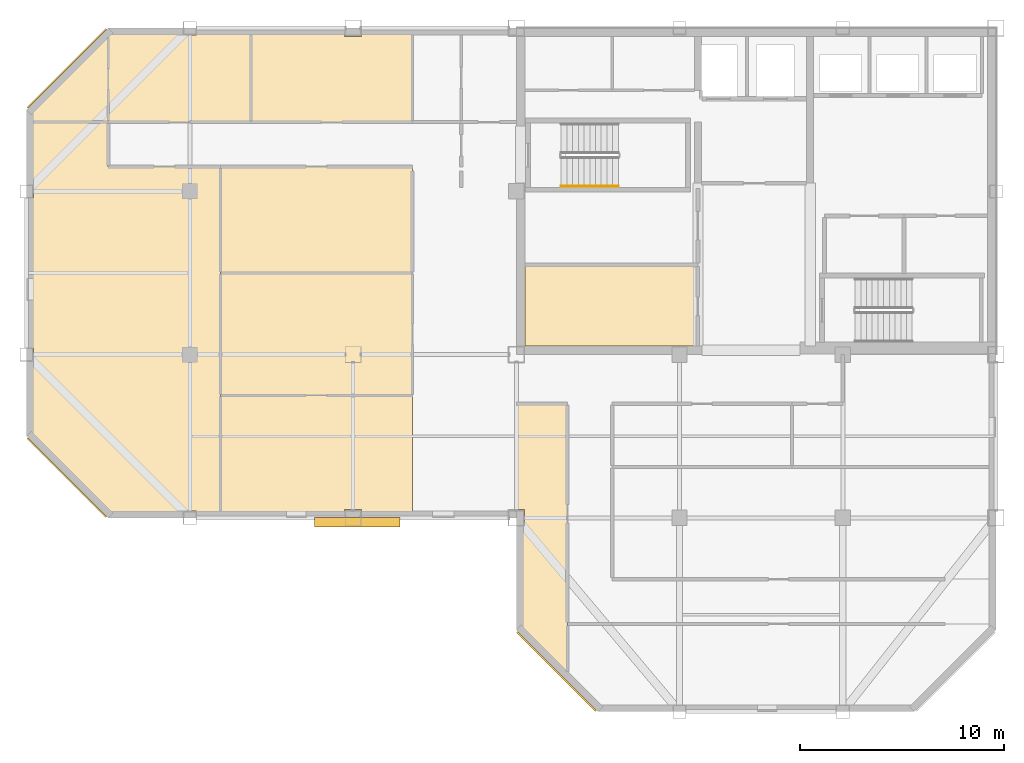
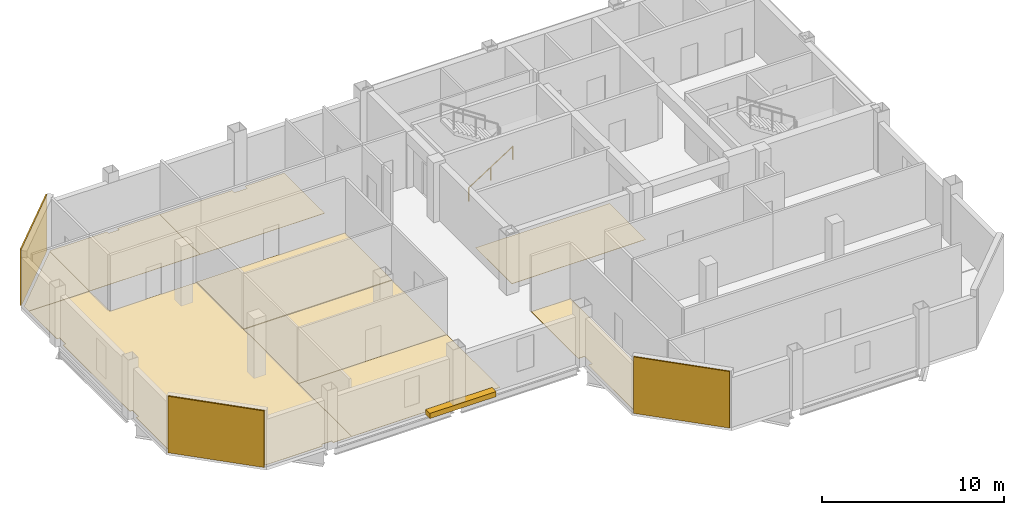
# One storey, part 5 of 7: 12 coverings, 1 railing, 1 shading device.
"""IFC4 building model written with IfcOpenShell, lengths in metres."""

from ifc_helpers import new_model, si_unit, direction, frame, origin, origin_2d, place, context, subcontext, project, spatial, polyline, rectangle, circle, outline, extrude, material, layer, layer_set, type_object, element, save


model = new_model("IFC4")

# Units and contexts
model_context = context("Model", 3, precision=1e-05, world=origin(), true_north=direction((0.0, 1.0)))
body_context = subcontext(model_context, "Body", "Model", "MODEL_VIEW")
ifc_project = project(units=[si_unit("LENGTHUNIT", "METRE"), si_unit("AREAUNIT", "SQUARE_METRE"), si_unit("VOLUMEUNIT", "CUBIC_METRE"), si_unit("PLANEANGLEUNIT", "RADIAN"), si_unit("MASSUNIT", "GRAM", prefix="KILO")], contexts=[model_context])

# Site, building, storey
site_placement = place(None, origin())
site = spatial("IfcSite", under=ifc_project, at=site_placement, CompositionType="ELEMENT")
building_placement = place(site_placement, origin())
building = spatial("IfcBuilding", under=site, at=building_placement, Name="Qianrong Seaharbour Tower", CompositionType="ELEMENT")
storey_placement = place(building_placement, frame((0.0, 0.0, 347.199951171875)))
storey = spatial("IfcBuildingStorey", under=building, at=storey_placement, Name="L84", CompositionType="ELEMENT", Elevation=347.199951171875)

# Coverings
ifc_material_1 = material(Name="Unitised red brick cladding on Precast concrete C45/55", Category="masonry")
ifc_layer_1 = layer(ifc_material_1, 0.080078125)
ifc_layer_set_1 = layer_set([ifc_layer_1], Name="Unitised red brick cladding on Precast concrete C45/55")
covering_type_1 = type_object("IfcCoveringType", Name="COV-CLAD-RED-BRICK-80", PredefinedType="CLADDING", material=ifc_layer_set_1)
for number, where, z_axis, x_axis, name in (
    (1, (18.4716796875, 29.9716796875, 0.0), (0.0, 0.0, 1.0), (-0.707106781187, 0.707106781187, 0.0), "L84 Chamfer Corner Brick Cladding 02"),
    (2, (18.4716796875, 50.0283203125, 0.0), (0.0, 0.0, 1.0), (0.707106781187, 0.707106781187, 0.0), "L84 Chamfer Corner Brick Cladding 04"),
    (3, (42.4716796875, 20.4716796875, 0.0), (0.0, 0.0, 1.0), (-0.707106781187, 0.707106781187, 0.0), "L84 Chamfer Corner Brick Cladding 09"),
):
    element("IfcCovering", number, at=place(storey_placement, frame(where, z_axis=z_axis, x_axis=x_axis)), inside=storey, type_object=covering_type_1, Name=name, PredefinedType="CLADDING", context=body_context, shape_type="SweptSolid", body=[
        extrude(rectangle(XDim=5.456787109375, YDim=0.080078125, at=origin_2d()), origin(), (0.0, 0.0, 1.0), 3.784912109375),
    ])
ifc_material_2 = material(Name="Acoustic modular carpet tile flooring")
ifc_layer_2 = layer(ifc_material_2, 0.02001953125)
ifc_layer_set_2 = layer_set([ifc_layer_2], Name="Acoustic modular carpet tile flooring")
covering_type_2 = type_object("IfcCoveringType", Name="COV-FLOOR-CARPET-20", PredefinedType="FLOORING", material=ifc_layer_set_2)
covering_1_placement = place(storey_placement, origin())
element("IfcCovering", 4, at=covering_1_placement, inside=storey, type_object=covering_type_2, Name="L84 Corporate Archive Room Finish Flooring", PredefinedType="FLOORING", context=body_context, shape_type="SweptSolid", body=[
    extrude(outline(polyline([(49.39990234375, 40.39990234375), (49.39990234375, 36.419921875), (40.919921875, 36.419921875), (40.919921875, 40.39990234375), (49.39990234375, 40.39990234375)])), origin(), (0.0, 0.0, 1.0), 0.02001953125),
])
covering_2_placement = place(storey_placement, origin())
element("IfcCovering", 5, at=covering_2_placement, inside=storey, type_object=covering_type_2, Name="L84 Occupational Health Clinic 1 Finish Flooring", PredefinedType="FLOORING", context=body_context, shape_type="SweptSolid", body=[
    extrude(outline(polyline([(16.6650390625, 47.931640625), (20.5, 51.7666015625), (20.5, 47.39990234375), (16.6650390625, 47.39990234375), (16.6650390625, 47.931640625)])), origin(), (0.0, 0.0, 1.0), 0.02001953125),
])
covering_3_placement = place(storey_placement, origin())
element("IfcCovering", 6, at=covering_3_placement, inside=storey, type_object=covering_type_2, Name="L84 Physiotherapy Room 2 Finish Flooring", PredefinedType="FLOORING", context=body_context, shape_type="SweptSolid", body=[
    extrude(outline(polyline([(20.5, 51.7666015625), (20.568359375, 51.8349609375), (24.1650390625, 51.8349609375), (24.1650390625, 51.6650390625), (24.8349609375, 51.6650390625), (24.8349609375, 51.8349609375), (27.5, 51.8349609375), (27.5, 47.39990234375), (20.5, 47.39990234375), (20.5, 51.7666015625)])), origin(), (0.0, 0.0, 1.0), 0.02001953125),
])
covering_4_placement = place(storey_placement, origin())
element("IfcCovering", 7, at=covering_4_placement, inside=storey, type_object=covering_type_2, Name="L84 First Aid Nursing Room 3 Finish Flooring", PredefinedType="FLOORING", context=body_context, shape_type="SweptSolid", body=[
    extrude(outline(polyline([(27.5, 51.8349609375), (32.090087890625, 51.8349609375), (32.090087890625, 51.590087890625), (32.909912109375, 51.590087890625), (32.909912109375, 51.8349609375), (35.39990234375, 51.8349609375), (35.39990234375, 47.39990234375), (27.5, 47.39990234375), (27.5, 51.8349609375)])), origin(), (0.0, 0.0, 1.0), 0.02001953125),
])
covering_5_placement = place(storey_placement, origin())
element("IfcCovering", 8, at=covering_5_placement, inside=storey, type_object=covering_type_2, Name="L84 Wellness Exercise Hall Finish Flooring", PredefinedType="FLOORING", context=body_context, shape_type="SweptSolid", body=[
    extrude(outline(polyline([(24.8349609375, 28.1650390625), (24.8349609375, 28.3349609375), (24.1650390625, 28.3349609375), (24.1650390625, 28.1650390625), (20.568359375, 28.1650390625), (16.6650390625, 32.068359375), (16.6650390625, 35.6650390625), (16.8349609375, 35.6650390625), (16.8349609375, 36.3349609375), (16.6650390625, 36.3349609375), (16.6650390625, 43.6650390625), (16.8349609375, 43.6650390625), (16.8349609375, 44.3349609375), (16.6650390625, 44.3349609375), (16.6650390625, 47.39990234375), (20.5, 47.39990234375), (20.5, 45.199951171875), (26.0, 45.199951171875), (26.0, 28.1650390625), (24.8349609375, 28.1650390625)])), origin(), (0.0, 0.0, 1.0), 0.02001953125),
])
covering_6_placement = place(storey_placement, origin())
element("IfcCovering", 9, at=covering_6_placement, inside=storey, type_object=covering_type_2, Name="L84 Medical Examination Room 1 Finish Flooring", PredefinedType="FLOORING", context=body_context, shape_type="SweptSolid", body=[
    extrude(outline(polyline([(35.39990234375, 28.1650390625), (32.909912109375, 28.1650390625), (32.909912109375, 28.409912109375), (32.090087890625, 28.409912109375), (32.090087890625, 28.1650390625), (26.0, 28.1650390625), (26.0, 34.0), (35.39990234375, 34.0), (35.39990234375, 28.1650390625)])), origin(), (0.0, 0.0, 1.0), 0.02001953125),
])
covering_7_placement = place(storey_placement, origin())
element("IfcCovering", 10, at=covering_7_placement, inside=storey, type_object=covering_type_2, Name="L84 Wet Pantry 2 Finish Flooring", PredefinedType="FLOORING", context=body_context, shape_type="SweptSolid", body=[
    extrude(outline(polyline([(35.39990234375, 40.0), (35.39990234375, 34.0), (26.0, 34.0), (26.0, 40.0), (35.39990234375, 40.0)])), origin(), (0.0, 0.0, 1.0), 0.02001953125),
])
covering_8_placement = place(storey_placement, origin())
element("IfcCovering", 11, at=covering_8_placement, inside=storey, type_object=covering_type_2, Name="L84 Clinical Dispensary Store Finish Flooring", PredefinedType="FLOORING", context=body_context, shape_type="SweptSolid", body=[
    extrude(outline(polyline([(43.0, 20.2333984375), (40.6650390625, 22.568359375), (40.6650390625, 27.590087890625), (40.909912109375, 27.590087890625), (40.909912109375, 28.409912109375), (40.5, 28.409912109375), (40.5, 33.60009765625), (43.0, 33.60009765625), (43.0, 20.2333984375)])), origin(), (0.0, 0.0, 1.0), 0.02001953125),
])
ifc_material_3 = material(Name="Calcium-sulphate raised access floor tile")
ifc_layer_3 = layer(ifc_material_3, 0.044921875)
ifc_layer_set_3 = layer_set([ifc_layer_3], Name="Calcium-sulphate raised access floor tile")
covering_type_3 = type_object("IfcCoveringType", Name="COV-FLOOR-RAISED-45", PredefinedType="FLOORING", material=ifc_layer_set_3)
covering_9_placement = place(storey_placement, origin())
element("IfcCovering", 12, at=covering_9_placement, inside=storey, type_object=covering_type_3, Name="L84 Records Office 3 Finish Flooring", PredefinedType="FLOORING", context=body_context, shape_type="SweptSolid", body=[
    extrude(outline(polyline([(35.39990234375, 45.199951171875), (35.39990234375, 40.0), (26.0, 40.0), (26.0, 45.199951171875), (35.39990234375, 45.199951171875)])), origin(), (0.0, 0.0, 1.0), 0.045166015625),
])

# Railing
ifc_material_4 = material(Name="Stainless steel SUS316L continuous handrail", Category="steel")
railing_type = type_object("IfcRailingType", Name="RAIL-STAIR-HANDRAIL-900", PredefinedType="HANDRAIL", material=ifc_material_4)
railing_placement = place(storey_placement, frame((42.699951171875, 44.25, 0.181884765625)))
element("IfcRailing", 13, at=railing_placement, inside=storey, type_object=railing_type, Name="L84 ST-1 stair handrail 1", PredefinedType="HANDRAIL", context=body_context, shape_type="SweptSolid", body=[
    extrude(circle(Radius=0.02392578125, at=origin_2d()), frame((0.0, 0.0, 0.8759765625), z_axis=(0.838705829183, 0.0, 0.544584733623), x_axis=(0.0, 1.0, 0.0)), (0.0, 0.0, 1.0), 3.338623046875),
    extrude(circle(Radius=0.02099609375, at=origin_2d()), origin(), (0.0, 0.0, 1.0), 0.851806640625),
    extrude(circle(Radius=0.02099609375, at=origin_2d()), frame((1.39990234375, 0.0, 0.9091796875)), (0.0, 0.0, 1.0), 0.851806640625),
    extrude(circle(Radius=0.02099609375, at=origin_2d()), frame((2.800048828125, 0.0, 1.818115234375)), (0.0, 0.0, 1.0), 0.851806640625),
])

# Shading device
ifc_material_5 = material(Name="White architectural precast concrete C45/55", Category="concrete")
shading_device_type = type_object("IfcShadingDeviceType", Name="SHD-SUNSHADE-WHITE-320", PredefinedType="AWNING", material=ifc_material_5)
shading_device_placement = place(storey_placement, frame((32.699951171875, 27.780029296875, -0.02001953125), z_axis=(0.0, 0.0, 1.0), x_axis=(1.0, 0.0, 0.0)))
element("IfcShadingDevice", 14, at=shading_device_placement, inside=storey, type_object=shading_device_type, Name="L84 Climbing White Precast Ribbon Canopy Fin", PredefinedType="AWNING", context=body_context, shape_type="SweptSolid", body=[
    extrude(rectangle(XDim=4.199951171875, YDim=0.4599609375, at=origin_2d()), origin(), (0.0, 0.0, 1.0), 0.340087890625),
])

save(model, "model.ifc")
